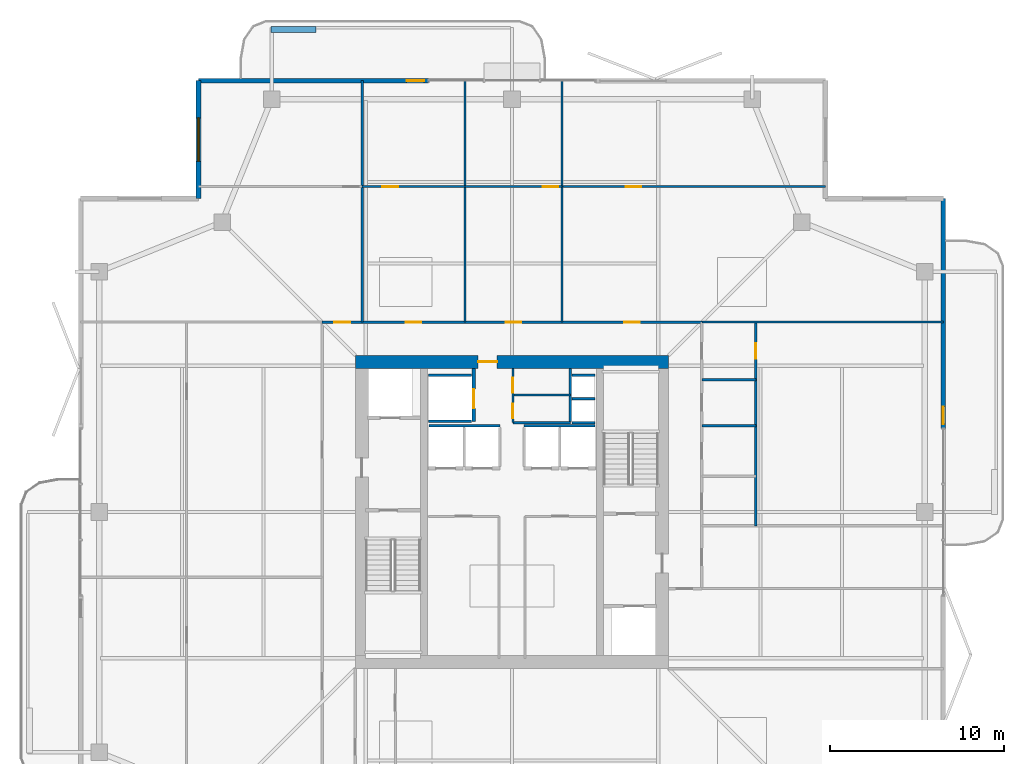
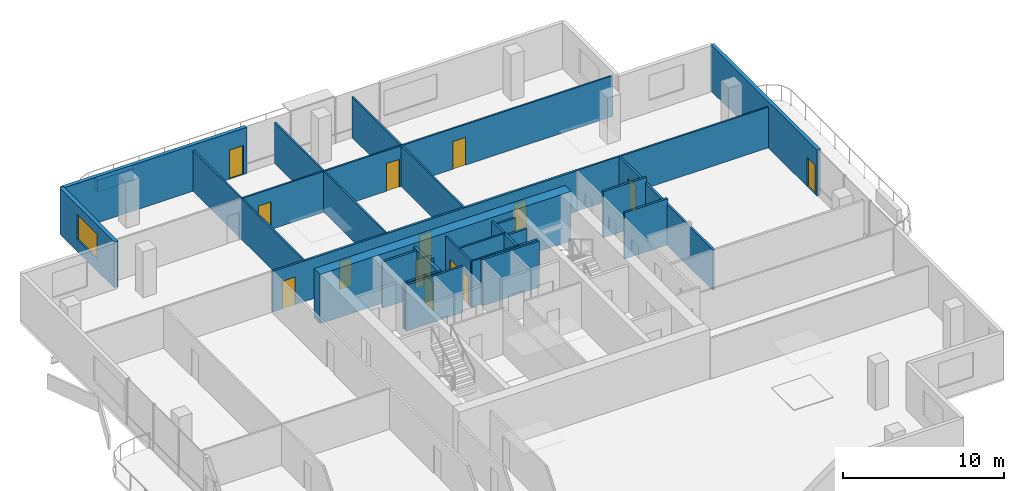
# One storey, part 20 of 25: 28 walls, 14 doors, 1 window, 15 openings.
"""IFC4 building model written with IfcOpenShell, lengths in metres."""

from ifc_helpers import new_model, si_unit, direction, frame, frame_2d, origin, place, context, subcontext, project, spatial, rectangle, extrude, material, layer, layer_set, type_object, element, fill, save


model = new_model("IFC4")

# Units and contexts
model_context = context("Model", 3, precision=1e-05, world=origin(), true_north=direction((0.0, 1.0)))
body_context = subcontext(model_context, "Body", "Model", "MODEL_VIEW")
ifc_project = project(units=[si_unit("LENGTHUNIT", "METRE"), si_unit("AREAUNIT", "SQUARE_METRE"), si_unit("VOLUMEUNIT", "CUBIC_METRE"), si_unit("PLANEANGLEUNIT", "RADIAN"), si_unit("MASSUNIT", "GRAM", prefix="KILO")], contexts=[model_context])

# Site, building, storey
site_placement = place(None, origin())
site = spatial("IfcSite", under=ifc_project, at=site_placement, CompositionType="ELEMENT")
building_placement = place(site_placement, origin())
building = spatial("IfcBuilding", under=site, at=building_placement, Name="Belovzor Exchange Tower", CompositionType="ELEMENT")
storey_placement = place(building_placement, frame((0.0, 0.0, 269.10009765625)))
storey = spatial("IfcBuildingStorey", under=building, at=storey_placement, Name="L67", CompositionType="ELEMENT", Elevation=269.10009765625)

# Wall
ifc_material_1 = material(Name="Acoustic Plasterboard on Galvanised Studs", Category="gypsum")
ifc_layer_1 = layer(ifc_material_1, 0.1201171875)
ifc_layer_set_1 = layer_set([ifc_layer_1], Name="Acoustic Plasterboard on Galvanised Studs")
wall_type_1 = type_object("IfcWallType", Name="Acoustic Double-Stud Partition Wall 120", PredefinedType="PARTITIONING", material=ifc_layer_set_1)
wall_1_placement = place(storey_placement, frame((20.199951171875, 39.699951171875, 0.0), z_axis=(0.0, 0.0, 1.0), x_axis=(0.0, 1.0, 0.0)))
element("IfcWall", 1, at=wall_1_placement, inside=storey, type_object=wall_type_1, Name="W-P120 Partition Wall W-L67-NDIV-1", PredefinedType="PARTITIONING", context=body_context, shape_type="SweptSolid", body=[
    extrude(rectangle(XDim=13.8701171875, YDim=0.1201171875, at=frame_2d((6.93505859375, 0.0))), origin(), (0.0, 0.0, 1.0), 3.0849609375),
])

# Wall, opening, door
wall_2_placement = place(storey_placement, frame((20.199951171875, 47.485107421875, 0.0), z_axis=(0.0, 0.0, 1.0), x_axis=(1.0, 0.0, 0.0)))
wall_2 = element("IfcWall", 2, at=wall_2_placement, inside=storey, type_object=wall_type_1, Name="W-P120 Partition Wall W-L67-NHDIV-1", PredefinedType="PARTITIONING", context=body_context, shape_type="SweptSolid", body=[
    extrude(rectangle(XDim=5.902099609375, YDim=0.1201171875, at=frame_2d((2.951171875, 0.0))), origin(), (0.0, 0.0, 1.0), 3.0849609375),
])
opening_1_placement = place(wall_2_placement, frame((1.158935546875, 0.0, 0.0)))
opening_1 = element("IfcOpeningElement", 3, at=opening_1_placement, cuts=wall_2, Name="Opening D-INT-090", PredefinedType="OPENING", context=body_context, shape_type="SweptSolid", body=[
    extrude(rectangle(XDim=0.89990234375, YDim=2.10009765625, at=frame_2d((0.449951171875, 1.050048828125))), frame((0.0, 0.070068359375, 0.0), z_axis=(0.0, -1.0, 0.0), x_axis=(1.0, 0.0, 0.0)), (0.0, 0.0, 1.0), 0.14013671875),
])
ifc_material_2 = material(Name="Veneered Hardwood Acoustic Leaf", Category="wood")
door_type_1 = type_object("IfcDoorType", Name="Trading Suite Acoustic Single Door 900x2100", OperationType="NOTDEFINED", PredefinedType="DOOR", material=ifc_material_2)
door_1_placement = place(opening_1_placement, origin())
door_1 = element("IfcDoor", 4, at=door_1_placement, inside=storey, type_object=door_type_1, Name="D-INT-090 Trading Suite Acoustic Single Door 900x2100", OperationType="SINGLE_SWING_RIGHT", OverallHeight=2.10009765625, OverallWidth=0.89990234375, PredefinedType="DOOR", context=body_context, shape_type="SweptSolid", body=[
    extrude(rectangle(XDim=0.89990234375, YDim=2.10009765625, at=frame_2d((0.449951171875, 1.050048828125))), frame((0.0, 0.02490234375, 0.0), z_axis=(0.0, -1.0, 0.0), x_axis=(1.0, 0.0, 0.0)), (0.0, 0.0, 1.0), 0.050048828125),
])
fill(opening_1, door_1)

# Wall
wall_3_placement = place(storey_placement, frame((26.10205078125, 39.699951171875, 0.0), z_axis=(0.0, 0.0, 1.0), x_axis=(0.0, 1.0, 0.0)))
element("IfcWall", 5, at=wall_3_placement, inside=storey, type_object=wall_type_1, Name="W-P120 Partition Wall W-L67-NDIV-2", PredefinedType="PARTITIONING", context=body_context, shape_type="SweptSolid", body=[
    extrude(rectangle(XDim=13.8701171875, YDim=0.1201171875, at=frame_2d((6.93505859375, 0.0))), origin(), (0.0, 0.0, 1.0), 3.0849609375),
])

# Wall, opening, door
wall_4_placement = place(storey_placement, frame((26.10205078125, 47.485107421875, 0.0), z_axis=(0.0, 0.0, 1.0), x_axis=(1.0, 0.0, 0.0)))
wall_4 = element("IfcWall", 6, at=wall_4_placement, inside=storey, type_object=wall_type_1, Name="W-P120 Partition Wall W-L67-NHDIV-2", PredefinedType="PARTITIONING", context=body_context, shape_type="SweptSolid", body=[
    extrude(rectangle(XDim=5.56494140625, YDim=0.1201171875, at=frame_2d((2.782470703125, 0.0))), origin(), (0.0, 0.0, 1.0), 3.0849609375),
])
opening_2_placement = place(wall_4_placement, frame((4.465087890625, 0.0, 0.0)))
opening_2 = element("IfcOpeningElement", 7, at=opening_2_placement, cuts=wall_4, Name="Opening D-INT-090", PredefinedType="OPENING", context=body_context, shape_type="SweptSolid", body=[
    extrude(rectangle(XDim=0.89990234375, YDim=2.10009765625, at=frame_2d((0.449951171875, 1.050048828125))), frame((0.0, 0.070068359375, 0.0), z_axis=(0.0, -1.0, 0.0), x_axis=(1.0, 0.0, 0.0)), (0.0, 0.0, 1.0), 0.14013671875),
])
door_2_placement = place(opening_2_placement, origin())
door_2 = element("IfcDoor", 8, at=door_2_placement, inside=storey, type_object=door_type_1, Name="D-INT-090 Trading Suite Acoustic Single Door 900x2100", OperationType="SINGLE_SWING_RIGHT", OverallHeight=2.10009765625, OverallWidth=0.89990234375, PredefinedType="DOOR", context=body_context, shape_type="SweptSolid", body=[
    extrude(rectangle(XDim=0.89990234375, YDim=2.10009765625, at=frame_2d((0.449951171875, 1.050048828125))), frame((0.0, 0.02490234375, 0.0), z_axis=(0.0, -1.0, 0.0), x_axis=(1.0, 0.0, 0.0)), (0.0, 0.0, 1.0), 0.050048828125),
])
fill(opening_2, door_2)

# Wall
wall_5_placement = place(storey_placement, frame((31.6669921875, 39.699951171875, 0.0), z_axis=(0.0, 0.0, 1.0), x_axis=(0.0, 1.0, 0.0)))
element("IfcWall", 9, at=wall_5_placement, inside=storey, type_object=wall_type_1, Name="W-P120 Partition Wall W-L67-NDIV-3", PredefinedType="PARTITIONING", context=body_context, shape_type="SweptSolid", body=[
    extrude(rectangle(XDim=13.8701171875, YDim=0.1201171875, at=frame_2d((6.93505859375, 0.0))), origin(), (0.0, 0.0, 1.0), 3.0849609375),
])

# Wall, opening, door
wall_6_placement = place(storey_placement, frame((31.6669921875, 47.485107421875, 0.0), z_axis=(0.0, 0.0, 1.0), x_axis=(1.0, 0.0, 0.0)))
wall_6 = element("IfcWall", 10, at=wall_6_placement, inside=storey, type_object=wall_type_1, Name="W-P120 Partition Wall W-L67-NHDIV-3", PredefinedType="PARTITIONING", context=body_context, shape_type="SweptSolid", body=[
    extrude(rectangle(XDim=15.133056640625, YDim=0.1201171875, at=frame_2d((7.56640625, 0.0))), origin(), (0.0, 0.0, 1.0), 3.0849609375),
])
opening_3_placement = place(wall_6_placement, frame((3.657958984375, 0.0, 0.0)))
opening_3 = element("IfcOpeningElement", 11, at=opening_3_placement, cuts=wall_6, Name="Opening D-INT-090", PredefinedType="OPENING", context=body_context, shape_type="SweptSolid", body=[
    extrude(rectangle(XDim=0.89990234375, YDim=2.10009765625, at=frame_2d((0.449951171875, 1.050048828125))), frame((0.0, 0.070068359375, 0.0), z_axis=(0.0, -1.0, 0.0), x_axis=(1.0, 0.0, 0.0)), (0.0, 0.0, 1.0), 0.14013671875),
])
door_3_placement = place(opening_3_placement, origin())
door_3 = element("IfcDoor", 12, at=door_3_placement, inside=storey, type_object=door_type_1, Name="D-INT-090 Trading Suite Acoustic Single Door 900x2100", OperationType="SINGLE_SWING_RIGHT", OverallHeight=2.10009765625, OverallWidth=0.89990234375, PredefinedType="DOOR", context=body_context, shape_type="SweptSolid", body=[
    extrude(rectangle(XDim=0.89990234375, YDim=2.10009765625, at=frame_2d((0.449951171875, 1.050048828125))), frame((0.0, 0.02490234375, 0.0), z_axis=(0.0, -1.0, 0.0), x_axis=(1.0, 0.0, 0.0)), (0.0, 0.0, 1.0), 0.050048828125),
])
fill(opening_3, door_3)

# Wall
wall_7_placement = place(storey_placement, frame((39.699951171875, 39.699951171875, 0.0), z_axis=(0.0, 0.0, 1.0), x_axis=(1.0, 0.0, 0.0)))
element("IfcWall", 13, at=wall_7_placement, inside=storey, type_object=wall_type_1, Name="W-P120 Partition Wall W-L67-END-NE", PredefinedType="PARTITIONING", context=body_context, shape_type="SweptSolid", body=[
    extrude(rectangle(XDim=13.8701171875, YDim=0.1201171875, at=frame_2d((6.93505859375, 0.0))), origin(), (0.0, 0.0, 1.0), 3.0849609375),
])

# Wall, openings, doors
ifc_material_3 = material(Name="Fire-Rated Plasterboard on Galvanised Studs", Category="gypsum")
ifc_layer_2 = layer(ifc_material_3, 0.1201171875)
ifc_layer_set_2 = layer_set([ifc_layer_2], Name="Fire-Rated Plasterboard on Galvanised Studs")
wall_type_2 = type_object("IfcWallType", Name="Fire-Rated Double-Stud Partition Wall 120", PredefinedType="PARTITIONING", material=ifc_layer_set_2)
wall_8_placement = place(storey_placement, frame((28.85009765625, 33.925048828125, 0.0), z_axis=(0.0, 0.0, 1.0), x_axis=(0.0, 1.0, 0.0)))
wall_8 = element("IfcWall", 14, at=wall_8_placement, inside=storey, type_object=wall_type_2, Name="W-P120F Partition Wall W-CRV-L67-W", PredefinedType="PARTITIONING", context=body_context, shape_type="SweptSolid", body=[
    extrude(rectangle(XDim=3.125, YDim=0.1201171875, at=frame_2d((1.5625, 0.0))), origin(), (0.0, 0.0, 1.0), 3.5),
])
opening_4_placement = place(wall_8_placement, frame((0.25, 0.0, 0.0)))
opening_4 = element("IfcOpeningElement", 15, at=opening_4_placement, cuts=wall_8, Name="Opening D-FD60-085", PredefinedType="OPENING", context=body_context, shape_type="SweptSolid", body=[
    extrude(rectangle(XDim=0.85009765625, YDim=2.10009765625, at=frame_2d((0.425048828125, 1.050048828125))), frame((0.0, 0.070068359375, 0.0), z_axis=(0.0, -1.0, 0.0), x_axis=(1.0, 0.0, 0.0)), (0.0, 0.0, 1.0), 0.14013671875),
])
opening_5_placement = place(wall_8_placement, frame((1.719970703125, 0.0, 0.0)))
opening_5 = element("IfcOpeningElement", 16, at=opening_5_placement, cuts=wall_8, Name="Opening D-FD60-085", PredefinedType="OPENING", context=body_context, shape_type="SweptSolid", body=[
    extrude(rectangle(XDim=0.85009765625, YDim=2.10009765625, at=frame_2d((0.425048828125, 1.050048828125))), frame((0.0, 0.070068359375, 0.0), z_axis=(0.0, -1.0, 0.0), x_axis=(1.0, 0.0, 0.0)), (0.0, 0.0, 1.0), 0.14013671875),
])
ifc_material_4 = material(Name="Fire-Rated Steel Access Leaf", Category="steel")
door_type_2 = type_object("IfcDoorType", Name="Riser & Meter Closet Access Fire Door 850x2100", OperationType="NOTDEFINED", PredefinedType="DOOR", material=ifc_material_4)
door_4_placement = place(opening_4_placement, origin())
door_4 = element("IfcDoor", 17, at=door_4_placement, inside=storey, type_object=door_type_2, Name="D-FD60-085 Riser & Meter Closet Access Fire Door 850x2100", OperationType="SINGLE_SWING_LEFT", OverallHeight=2.10009765625, OverallWidth=0.85009765625, PredefinedType="DOOR", context=body_context, shape_type="SweptSolid", body=[
    extrude(rectangle(XDim=0.85009765625, YDim=2.10009765625, at=frame_2d((0.425048828125, 1.050048828125))), frame((0.0, 0.02490234375, 0.0), z_axis=(0.0, -1.0, 0.0), x_axis=(1.0, 0.0, 0.0)), (0.0, 0.0, 1.0), 0.050048828125),
])
fill(opening_4, door_4)
door_5_placement = place(opening_5_placement, origin())
door_5 = element("IfcDoor", 18, at=door_5_placement, inside=storey, type_object=door_type_2, Name="D-FD60-085 Riser & Meter Closet Access Fire Door 850x2100", OperationType="SINGLE_SWING_RIGHT", OverallHeight=2.10009765625, OverallWidth=0.85009765625, PredefinedType="DOOR", context=body_context, shape_type="SweptSolid", body=[
    extrude(rectangle(XDim=0.85009765625, YDim=2.10009765625, at=frame_2d((0.425048828125, 1.050048828125))), frame((0.0, 0.02490234375, 0.0), z_axis=(0.0, -1.0, 0.0), x_axis=(1.0, 0.0, 0.0)), (0.0, 0.0, 1.0), 0.050048828125),
])
fill(opening_5, door_5)

# Walls
for number, where, z_axis, x_axis, name in (
    (19, (28.85009765625, 35.52490234375, 0.0), (0.0, 0.0, 1.0), (1.0, 0.0, 0.0), "W-P120F Partition Wall W-CRV-L67-M"),
    (20, (28.85009765625, 33.925048828125, 0.0), (0.0, 0.0, 1.0), (1.0, 0.0, 0.0), "W-P120F Partition Wall W-CRV-L67-S"),
):
    element("IfcWall", number, at=place(storey_placement, frame(where, z_axis=z_axis, x_axis=x_axis)), inside=storey, type_object=wall_type_2, Name=name, PredefinedType="PARTITIONING", context=body_context, shape_type="SweptSolid", body=[
        extrude(rectangle(XDim=3.2998046875, YDim=0.1201171875, at=frame_2d((1.64990234375, 0.0))), origin(), (0.0, 0.0, 1.0), 3.5),
    ])

# Wall, opening, door
ifc_material_5 = material(Name="Fire-Rated Gypsum Block and Mineral Wool", Category="gypsum")
ifc_layer_3 = layer(ifc_material_5, 0.14990234375)
ifc_layer_set_3 = layer_set([ifc_layer_3], Name="Fire-Rated Gypsum Block and Mineral Wool")
wall_type_3 = type_object("IfcWallType", Name="Fire-Rated Gypsum Block Corridor Wall 150", PredefinedType="PARTITIONING", material=ifc_layer_set_3)
wall_9_placement = place(storey_placement, frame((42.800048828125, 28.0, 0.0), z_axis=(0.0, 0.0, 1.0), x_axis=(0.0, 1.0, 0.0)))
wall_9 = element("IfcWall", 21, at=wall_9_placement, inside=storey, type_object=wall_type_3, Name="W-P150 Partition Wall W-L67-EWC-E", PredefinedType="PARTITIONING", context=body_context, shape_type="SweptSolid", body=[
    extrude(rectangle(XDim=11.699951171875, YDim=0.14990234375, at=frame_2d((5.85009765625, 0.0))), origin(), (0.0, 0.0, 1.0), 3.0849609375),
])
opening_6_placement = place(wall_9_placement, frame((9.60009765625, 0.0, 0.0)))
opening_6 = element("IfcOpeningElement", 22, at=opening_6_placement, cuts=wall_9, Name="Opening D-INT-090", PredefinedType="OPENING", context=body_context, shape_type="SweptSolid", body=[
    extrude(rectangle(XDim=0.89990234375, YDim=2.10009765625, at=frame_2d((0.449951171875, 1.050048828125))), frame((0.0, 0.0849609375, 0.0), z_axis=(0.0, -1.0, 0.0), x_axis=(1.0, 0.0, 0.0)), (0.0, 0.0, 1.0), 0.169921875),
])
door_6_placement = place(opening_6_placement, origin())
door_6 = element("IfcDoor", 23, at=door_6_placement, inside=storey, type_object=door_type_1, Name="D-INT-090 Trading Suite Acoustic Single Door 900x2100", OperationType="SINGLE_SWING_RIGHT", OverallHeight=2.10009765625, OverallWidth=0.89990234375, PredefinedType="DOOR", context=body_context, shape_type="SweptSolid", body=[
    extrude(rectangle(XDim=0.89990234375, YDim=2.10009765625, at=frame_2d((0.449951171875, 1.050048828125))), frame((0.0, 0.02490234375, 0.0), z_axis=(0.0, -1.0, 0.0), x_axis=(1.0, 0.0, 0.0)), (0.0, 0.0, 1.0), 0.050048828125),
])
fill(opening_6, door_6)

# Walls
for number, where, z_axis, x_axis, name in (
    (24, (39.699951171875, 36.39990234375, 0.0), (0.0, 0.0, 1.0), (1.0, 0.0, 0.0), "W-P150 Partition Wall W-L67-EWC-N"),
    (25, (39.699951171875, 33.75, 0.0), (0.0, 0.0, 1.0), (1.0, 0.0, 0.0), "W-P150 Partition Wall W-L67-EWC-D2"),
):
    element("IfcWall", number, at=place(storey_placement, frame(where, z_axis=z_axis, x_axis=x_axis)), inside=storey, type_object=wall_type_3, Name=name, PredefinedType="PARTITIONING", context=body_context, shape_type="SweptSolid", body=[
        extrude(rectangle(XDim=3.10009765625, YDim=0.14990234375, at=frame_2d((1.550048828125, 0.0))), origin(), (0.0, 0.0, 1.0), 3.5),
    ])

# Wall, openings, doors
wall_10_placement = place(storey_placement, frame((17.89990234375, 39.699951171875, 0.0), z_axis=(0.0, 0.0, 1.0), x_axis=(1.0, 0.0, 0.0)))
wall_10 = element("IfcWall", 26, at=wall_10_placement, inside=storey, type_object=wall_type_3, Name="W-P150 Partition Wall W-L67-CN", PredefinedType="PARTITIONING", context=body_context, shape_type="SweptSolid", body=[
    extrude(rectangle(XDim=21.800048828125, YDim=0.14990234375, at=frame_2d((10.89990234375, 0.0))), origin(), (0.0, 0.0, 1.0), 3.0849609375),
])
opening_7_placement = place(wall_10_placement, frame((0.699951171875, 0.0, 0.0)))
opening_7 = element("IfcOpeningElement", 27, at=opening_7_placement, cuts=wall_10, Name="Opening D-INT-090", PredefinedType="OPENING", context=body_context, shape_type="SweptSolid", body=[
    extrude(rectangle(XDim=0.89990234375, YDim=2.10009765625, at=frame_2d((0.449951171875, 1.050048828125))), frame((0.0, 0.0849609375, 0.0), z_axis=(0.0, -1.0, 0.0), x_axis=(1.0, 0.0, 0.0)), (0.0, 0.0, 1.0), 0.169921875),
])
opening_8_placement = place(wall_10_placement, frame((4.801025390625, 0.0, 0.0)))
opening_8 = element("IfcOpeningElement", 28, at=opening_8_placement, cuts=wall_10, Name="Opening D-INT-090", PredefinedType="OPENING", context=body_context, shape_type="SweptSolid", body=[
    extrude(rectangle(XDim=0.89990234375, YDim=2.10009765625, at=frame_2d((0.449951171875, 1.050048828125))), frame((0.0, 0.0849609375, 0.0), z_axis=(0.0, -1.0, 0.0), x_axis=(1.0, 0.0, 0.0)), (0.0, 0.0, 1.0), 0.169921875),
])
opening_9_placement = place(wall_10_placement, frame((10.534912109375, 0.0, 0.0)))
opening_9 = element("IfcOpeningElement", 29, at=opening_9_placement, cuts=wall_10, Name="Opening D-INT-090", PredefinedType="OPENING", context=body_context, shape_type="SweptSolid", body=[
    extrude(rectangle(XDim=0.89990234375, YDim=2.10009765625, at=frame_2d((0.449951171875, 1.050048828125))), frame((0.0, 0.0849609375, 0.0), z_axis=(0.0, -1.0, 0.0), x_axis=(1.0, 0.0, 0.0)), (0.0, 0.0, 1.0), 0.169921875),
])
opening_10_placement = place(wall_10_placement, frame((17.333984375, 0.0, 0.0)))
opening_10 = element("IfcOpeningElement", 30, at=opening_10_placement, cuts=wall_10, Name="Opening D-INT-090", PredefinedType="OPENING", context=body_context, shape_type="SweptSolid", body=[
    extrude(rectangle(XDim=0.89990234375, YDim=2.10009765625, at=frame_2d((0.449951171875, 1.050048828125))), frame((0.0, 0.0849609375, 0.0), z_axis=(0.0, -1.0, 0.0), x_axis=(1.0, 0.0, 0.0)), (0.0, 0.0, 1.0), 0.169921875),
])
door_7_placement = place(opening_7_placement, origin())
door_7 = element("IfcDoor", 31, at=door_7_placement, inside=storey, type_object=door_type_1, Name="D-INT-090 Trading Suite Acoustic Single Door 900x2100", OperationType="SINGLE_SWING_LEFT", OverallHeight=2.10009765625, OverallWidth=0.89990234375, PredefinedType="DOOR", context=body_context, shape_type="SweptSolid", body=[
    extrude(rectangle(XDim=0.89990234375, YDim=2.10009765625, at=frame_2d((0.449951171875, 1.050048828125))), frame((0.0, 0.02490234375, 0.0), z_axis=(0.0, -1.0, 0.0), x_axis=(1.0, 0.0, 0.0)), (0.0, 0.0, 1.0), 0.050048828125),
])
fill(opening_7, door_7)
door_8_placement = place(opening_8_placement, origin())
door_8 = element("IfcDoor", 32, at=door_8_placement, inside=storey, type_object=door_type_1, Name="D-INT-090 Trading Suite Acoustic Single Door 900x2100", OperationType="SINGLE_SWING_RIGHT", OverallHeight=2.10009765625, OverallWidth=0.89990234375, PredefinedType="DOOR", context=body_context, shape_type="SweptSolid", body=[
    extrude(rectangle(XDim=0.89990234375, YDim=2.10009765625, at=frame_2d((0.449951171875, 1.050048828125))), frame((0.0, 0.02490234375, 0.0), z_axis=(0.0, -1.0, 0.0), x_axis=(1.0, 0.0, 0.0)), (0.0, 0.0, 1.0), 0.050048828125),
])
fill(opening_8, door_8)
door_9_placement = place(opening_9_placement, origin())
door_9 = element("IfcDoor", 33, at=door_9_placement, inside=storey, type_object=door_type_1, Name="D-INT-090 Trading Suite Acoustic Single Door 900x2100", OperationType="SINGLE_SWING_LEFT", OverallHeight=2.10009765625, OverallWidth=0.89990234375, PredefinedType="DOOR", context=body_context, shape_type="SweptSolid", body=[
    extrude(rectangle(XDim=0.89990234375, YDim=2.10009765625, at=frame_2d((0.449951171875, 1.050048828125))), frame((0.0, 0.02490234375, 0.0), z_axis=(0.0, -1.0, 0.0), x_axis=(1.0, 0.0, 0.0)), (0.0, 0.0, 1.0), 0.050048828125),
])
fill(opening_9, door_9)
door_10_placement = place(opening_10_placement, origin())
door_10 = element("IfcDoor", 34, at=door_10_placement, inside=storey, type_object=door_type_1, Name="D-INT-090 Trading Suite Acoustic Single Door 900x2100", OperationType="SINGLE_SWING_RIGHT", OverallHeight=2.10009765625, OverallWidth=0.89990234375, PredefinedType="DOOR", context=body_context, shape_type="SweptSolid", body=[
    extrude(rectangle(XDim=0.89990234375, YDim=2.10009765625, at=frame_2d((0.449951171875, 1.050048828125))), frame((0.0, 0.02490234375, 0.0), z_axis=(0.0, -1.0, 0.0), x_axis=(1.0, 0.0, 0.0)), (0.0, 0.0, 1.0), 0.050048828125),
])
fill(opening_10, door_10)

# Wall, opening, window
ifc_material_6 = material(Name="Precast concrete C40/50", Category="concrete")
ifc_layer_4 = layer(ifc_material_6, 0.280029296875)
ifc_layer_set_4 = layer_set([ifc_layer_4], Name="Precast concrete C40/50")
wall_type_4 = type_object("IfcWallType", Name="Precast Concrete Notched Corner Frame Wall 280", PredefinedType="SOLIDWALL", material=ifc_layer_set_4)
wall_11_placement = place(storey_placement, frame((10.800048828125, 46.800048828125, 0.0), z_axis=(0.0, 0.0, 1.0), x_axis=(0.0, 1.0, 0.0)))
wall_11 = element("IfcWall", 35, at=wall_11_placement, inside=storey, type_object=wall_type_4, Name="W-CRN280 Precast Concrete Notched Corner Frame Wall 280 L67", PredefinedType="SOLIDWALL", context=body_context, shape_type="SweptSolid", body=[
    extrude(rectangle(XDim=6.77001953125, YDim=0.280029296875, at=frame_2d((3.385009765625, 0.0))), origin(), (0.0, 0.0, 1.0), 3.5),
])
opening_11_placement = place(wall_11_placement, frame((2.135009765625, 0.0, 0.89990234375)))
opening_11 = element("IfcOpeningElement", 36, at=opening_11_placement, cuts=wall_11, Name="Opening WN-CRN250", PredefinedType="OPENING", context=body_context, shape_type="SweptSolid", body=[
    extrude(rectangle(XDim=2.5, YDim=1.89990234375, at=frame_2d((1.25, 0.949951171875))), frame((0.0, 0.14990234375, 0.0), z_axis=(0.0, -1.0, 0.0), x_axis=(1.0, 0.0, 0.0)), (0.0, 0.0, 1.0), 0.300048828125),
])
ifc_material_7 = material(Name="Thermally Broken Aluminium and Triple Glazing", Category="aluminium")
window_type = type_object("IfcWindowType", Name="Streamline Moderne Corner Wrap Ribbon Window 2500x1900", PartitioningType="SINGLE_PANEL", PredefinedType="WINDOW", material=ifc_material_7)
window_placement = place(opening_11_placement, origin())
window = element("IfcWindow", 37, at=window_placement, inside=storey, type_object=window_type, Name="WN-CRN250 Streamline Moderne Corner Wrap Ribbon Window 2500x1900", OverallHeight=1.89990234375, OverallWidth=2.5, PartitioningType="SINGLE_PANEL", PredefinedType="WINDOW", context=body_context, shape_type="SweptSolid", body=[
    extrude(rectangle(XDim=2.5, YDim=1.89990234375, at=frame_2d((1.25, 0.949951171875))), frame((0.0, 0.030029296875, 0.0), z_axis=(0.0, -1.0, 0.0), x_axis=(1.0, 0.0, 0.0)), (0.0, 0.0, 1.0), 0.06005859375),
])
fill(opening_11, window)

# Wall, opening, door
ifc_material_8 = material(Name="Precast concrete C40/50", Category="concrete")
ifc_layer_5 = layer(ifc_material_8, 0.260009765625)
ifc_layer_set_5 = layer_set([ifc_layer_5], Name="Precast concrete C40/50")
wall_type_5 = type_object("IfcWallType", Name="Precast Concrete Perimeter Loggia Frame Wall 260", PredefinedType="SOLIDWALL", material=ifc_layer_set_5)
wall_12_placement = place(storey_placement, frame((10.800048828125, 53.570068359375, 0.0), z_axis=(0.0, 0.0, 1.0), x_axis=(1.0, 0.0, 0.0)))
wall_12 = element("IfcWall", 38, at=wall_12_placement, inside=storey, type_object=wall_type_5, Name="W-EXT260 Precast Concrete Perimeter Loggia Frame Wall 260 L67", PredefinedType="SOLIDWALL", context=body_context, shape_type="SweptSolid", body=[
    extrude(rectangle(XDim=13.199951171875, YDim=0.260009765625, at=frame_2d((6.60009765625, 0.0))), origin(), (0.0, 0.0, 1.0), 3.5),
])
opening_12_placement = place(wall_12_placement, frame((11.949951171875, 0.0, 0.0)))
opening_12 = element("IfcOpeningElement", 39, at=opening_12_placement, cuts=wall_12, Name="Opening D-BAL100", PredefinedType="OPENING", context=body_context, shape_type="SweptSolid", body=[
    extrude(rectangle(XDim=1.0, YDim=2.199951171875, at=frame_2d((0.5, 1.10009765625))), frame((0.0, 0.139892578125, 0.0), z_axis=(0.0, -1.0, 0.0), x_axis=(1.0, 0.0, 0.0)), (0.0, 0.0, 1.0), 0.280029296875),
])
ifc_material_9 = material(Name="Thermally Broken Anodised Aluminium and Laminated Glass", Category="aluminium")
door_type_3 = type_object("IfcDoorType", Name="Planted Loggia Terrace Glazed Door 1000x2200", OperationType="SINGLE_SWING_LEFT", PredefinedType="DOOR", material=ifc_material_9)
door_11_placement = place(opening_12_placement, origin())
door_11 = element("IfcDoor", 40, at=door_11_placement, inside=storey, type_object=door_type_3, Name="D-BAL100 Balcony Terrace Door L67 N", OperationType="SINGLE_SWING_RIGHT", OverallHeight=2.199951171875, OverallWidth=1.0, PredefinedType="DOOR", context=body_context, shape_type="SweptSolid", body=[
    extrude(rectangle(XDim=1.0, YDim=2.199951171875, at=frame_2d((0.5, 1.10009765625))), frame((0.0, 0.02490234375, 0.0), z_axis=(0.0, -1.0, 0.0), x_axis=(1.0, 0.0, 0.0)), (0.0, 0.0, 1.0), 0.050048828125),
])
fill(opening_12, door_11)

wall_13_placement = place(storey_placement, frame((53.570068359375, 46.800048828125, 0.0), z_axis=(0.0, 0.0, 1.0), x_axis=(0.0, -1.0, 0.0)))
wall_13 = element("IfcWall", 41, at=wall_13_placement, inside=storey, type_object=wall_type_5, Name="W-EXT260 Precast Concrete Perimeter Loggia Frame Wall 260 L67", PredefinedType="SOLIDWALL", context=body_context, shape_type="SweptSolid", body=[
    extrude(rectangle(XDim=13.199951171875, YDim=0.260009765625, at=frame_2d((6.60009765625, 0.0))), origin(), (0.0, 0.0, 1.0), 3.5),
])
opening_13_placement = place(wall_13_placement, frame((11.949951171875, 0.0, 0.0)))
opening_13 = element("IfcOpeningElement", 42, at=opening_13_placement, cuts=wall_13, Name="Opening D-BAL100", PredefinedType="OPENING", context=body_context, shape_type="SweptSolid", body=[
    extrude(rectangle(XDim=1.0, YDim=2.199951171875, at=frame_2d((0.5, 1.10009765625))), frame((0.0, 0.139892578125, 0.0), z_axis=(0.0, -1.0, 0.0), x_axis=(1.0, 0.0, 0.0)), (0.0, 0.0, 1.0), 0.280029296875),
])
door_12_placement = place(opening_13_placement, origin())
door_12 = element("IfcDoor", 43, at=door_12_placement, inside=storey, type_object=door_type_3, Name="D-BAL100 Balcony Terrace Door L67 E", OperationType="SINGLE_SWING_LEFT", OverallHeight=2.199951171875, OverallWidth=1.0, PredefinedType="DOOR", context=body_context, shape_type="SweptSolid", body=[
    extrude(rectangle(XDim=1.0, YDim=2.199951171875, at=frame_2d((0.5, 1.10009765625))), frame((0.0, 0.02490234375, 0.0), z_axis=(0.0, -1.0, 0.0), x_axis=(1.0, 0.0, 0.0)), (0.0, 0.0, 1.0), 0.050048828125),
])
fill(opening_13, door_12)

# Walls
ifc_material_10 = material(Name="Precast concrete C40/50", Category="concrete")
ifc_layer_6 = layer(ifc_material_10, 0.35009765625)
ifc_layer_set_6 = layer_set([ifc_layer_6], Name="Precast concrete C40/50")
wall_type_6 = type_object("IfcWallType", Name="Precast Concrete Structural Tree Planter Trough 350", PredefinedType="PARAPET", material=ifc_layer_set_6)
wall_14_placement = place(storey_placement, frame((14.949951171875, 56.5, 0.0), z_axis=(0.0, 0.0, 1.0), x_axis=(1.0, 0.0, 0.0)))
element("IfcWall", 44, at=wall_14_placement, inside=storey, type_object=wall_type_6, Name="PT-350 Precast Concrete Structural Tree Planter Trough 350 L67", PredefinedType="PARAPET", context=body_context, shape_type="SweptSolid", body=[
    extrude(rectangle(XDim=2.60009765625, YDim=0.35009765625, at=frame_2d((1.300048828125, 0.0))), origin(), (0.0, 0.0, 1.0), 0.89990234375),
])
ifc_material_11 = material(Name="Concrete C50/60", Category="concrete")
ifc_layer_7 = layer(ifc_material_11, 0.14990234375)
ifc_layer_set_7 = layer_set([ifc_layer_7], Name="Concrete C50/60")
wall_type_7 = type_object("IfcWallType", Name="Reinforced Concrete Core Riser Shear Wall 150", PredefinedType="SHEAR", material=ifc_layer_set_7)
wall_15_placement = place(storey_placement, frame((32.14990234375, 34.0, 0.0), z_axis=(0.0, 0.0, 1.0), x_axis=(0.0, 1.0, 0.0)))
element("IfcWall", 45, at=wall_15_placement, inside=storey, type_object=wall_type_7, Name="W-C150S Core Shaft Wall W-RSR-L67-E", PredefinedType="SHEAR", context=body_context, shape_type="SweptSolid", body=[
    extrude(rectangle(XDim=3.050048828125, YDim=0.14990234375, at=frame_2d((1.52490234375, 0.0))), origin(), (0.0, 0.0, 1.0), 3.5),
])
for number, where, z_axis, x_axis, name in (
    (46, (32.25, 33.925048828125, 0.0), (0.0, 0.0, 1.0), (1.0, 0.0, 0.0), "W-C150S Core Shaft Wall W-RSR-L67-S"),
    (47, (32.25, 35.300048828125, 0.0), (0.0, 0.0, 1.0), (1.0, 0.0, 0.0), "W-C150S Core Shaft Wall W-RSR-L67-M"),
):
    element("IfcWall", number, at=place(storey_placement, frame(where, z_axis=z_axis, x_axis=x_axis)), inside=storey, type_object=wall_type_7, Name=name, PredefinedType="SHEAR", context=body_context, shape_type="SweptSolid", body=[
        extrude(rectangle(XDim=1.330078125, YDim=0.14990234375, at=frame_2d((0.6650390625, 0.0))), origin(), (0.0, 0.0, 1.0), 3.5),
    ])
for number, where, z_axis, x_axis, name in (
    (48, (24.0, 34.0, 0.0), (0.0, 0.0, 1.0), (1.0, 0.0, 0.0), "W-C150S Core Shaft Wall W-SH-L67-SL-01S"),
    (49, (24.0, 36.64990234375, 0.0), (0.0, 0.0, 1.0), (1.0, 0.0, 0.0), "W-C150S Core Shaft Wall W-SH-L67-SL-01N"),
):
    element("IfcWall", number, at=place(storey_placement, frame(where, z_axis=z_axis, x_axis=x_axis)), inside=storey, type_object=wall_type_7, Name=name, PredefinedType="SHEAR", context=body_context, shape_type="SweptSolid", body=[
        extrude(rectangle(XDim=2.47998046875, YDim=0.14990234375, at=frame_2d((1.239990234375, 0.0))), origin(), (0.0, 0.0, 1.0), 3.5),
    ])
wall_16_placement = place(storey_placement, frame((32.25, 36.64990234375, 0.0), z_axis=(0.0, 0.0, 1.0), x_axis=(1.0, 0.0, 0.0)))
element("IfcWall", 50, at=wall_16_placement, inside=storey, type_object=wall_type_7, Name="W-C150S Core Shaft Wall W-RSR-L67-N", PredefinedType="SHEAR", context=body_context, shape_type="SweptSolid", body=[
    extrude(rectangle(XDim=1.330078125, YDim=0.14990234375, at=frame_2d((0.6650390625, 0.0))), origin(), (0.0, 0.0, 1.0), 3.5),
])
for number, where, z_axis, x_axis, name in (
    (51, (24.02001953125, 33.760009765625, 0.0), (0.0, 0.0, 1.0), (1.0, 0.0, 0.0), "W-C150S Core Shaft Wall W-SHB-L67-PLH-NW"),
    (52, (29.5, 33.760009765625, 0.0), (0.0, 0.0, 1.0), (1.0, 0.0, 0.0), "W-C150S Core Shaft Wall W-SHB-L67-PLH-NE"),
):
    element("IfcWall", number, at=place(storey_placement, frame(where, z_axis=z_axis, x_axis=x_axis)), inside=storey, type_object=wall_type_7, Name=name, PredefinedType="SHEAR", context=body_context, shape_type="SweptSolid", body=[
        extrude(rectangle(XDim=4.080078125, YDim=0.14990234375, at=frame_2d((2.0400390625, 0.0))), origin(), (0.0, 0.0, 1.0), 3.5),
    ])

# Wall, opening, door
ifc_material_12 = material(Name="Concrete C50/60", Category="concrete")
ifc_layer_8 = layer(ifc_material_12, 0.199951171875)
ifc_layer_set_8 = layer_set([ifc_layer_8], Name="Concrete C50/60")
wall_type_8 = type_object("IfcWallType", Name="Reinforced Concrete Core Shaft Shear Wall 200", PredefinedType="SHEAR", material=ifc_layer_set_8)
wall_17_placement = place(storey_placement, frame((26.60009765625, 34.0, 0.0), z_axis=(0.0, 0.0, 1.0), x_axis=(0.0, 1.0, 0.0)))
wall_17 = element("IfcWall", 53, at=wall_17_placement, inside=storey, type_object=wall_type_8, Name="W-C200S Core Shaft Wall W-SH-L67-SL-01", PredefinedType="SHEAR", context=body_context, shape_type="SweptSolid", body=[
    extrude(rectangle(XDim=3.050048828125, YDim=0.199951171875, at=frame_2d((1.52490234375, 0.0))), origin(), (0.0, 0.0, 1.0), 3.5),
])
opening_14_placement = place(wall_17_placement, frame((0.75, 0.0, 0.0)))
opening_14 = element("IfcOpeningElement", 54, at=opening_14_placement, cuts=wall_17, Name="Opening LD-110", PredefinedType="OPENING", context=body_context, shape_type="SweptSolid", body=[
    extrude(rectangle(XDim=1.10009765625, YDim=2.14990234375, at=frame_2d((0.550048828125, 1.074951171875))), frame((0.0, 0.10986328125, 0.0), z_axis=(0.0, -1.0, 0.0), x_axis=(1.0, 0.0, 0.0)), (0.0, 0.0, 1.0), 0.219970703125),
])
ifc_material_13 = material(Name="Stainless Steel Grade 304", Category="steel")
door_type_4 = type_object("IfcDoorType", Name="Automated Stainless Steel Lift Landing Door 1100x2150", OperationType="SLIDING_TO_RIGHT", PredefinedType="DOOR", material=ifc_material_13)
door_13_placement = place(opening_14_placement, origin())
door_13 = element("IfcDoor", 55, at=door_13_placement, inside=storey, type_object=door_type_4, Name="LD-110 Automated Stainless Steel Lift Landing Door 1100x2150", OperationType="SLIDING_TO_RIGHT", OverallHeight=2.14990234375, OverallWidth=1.10009765625, PredefinedType="DOOR", context=body_context, shape_type="SweptSolid", body=[
    extrude(rectangle(XDim=1.10009765625, YDim=2.14990234375, at=frame_2d((0.550048828125, 1.074951171875))), frame((0.0, 0.02490234375, 0.0), z_axis=(0.0, -1.0, 0.0), x_axis=(1.0, 0.0, 0.0)), (0.0, 0.0, 1.0), 0.050048828125),
])
fill(opening_14, door_13)

ifc_material_14 = material(Name="Concrete C50/60", Category="concrete")
ifc_layer_9 = layer(ifc_material_14, 0.75)
ifc_layer_set_9 = layer_set([ifc_layer_9], Name="Concrete C50/60")
wall_type_9 = type_object("IfcWallType", Name="Reinforced Concrete Core Shear Wall 750", PredefinedType="SHEAR", material=ifc_layer_set_9)
wall_18_placement = place(storey_placement, frame((19.800048828125, 37.425048828125, 0.0), z_axis=(0.0, 0.0, 1.0), x_axis=(1.0, 0.0, 0.0)))
wall_18 = element("IfcWall", 56, at=wall_18_placement, inside=storey, type_object=wall_type_9, Name="CW-S075 Core Shear Wall L67 N", PredefinedType="SHEAR", context=body_context, shape_type="SweptSolid", body=[
    extrude(rectangle(XDim=18.0, YDim=0.75, at=frame_2d((9.0, 0.0))), origin(), (0.0, 0.0, 1.0), 3.75),
])
opening_15_placement = place(wall_18_placement, frame((7.050048828125, 0.0, 0.0)))
opening_15 = element("IfcOpeningElement", 57, at=opening_15_placement, cuts=wall_18, Name="Opening D-FD90-110", PredefinedType="OPENING", context=body_context, shape_type="SweptSolid", body=[
    extrude(rectangle(XDim=1.10009765625, YDim=2.14990234375, at=frame_2d((0.550048828125, 1.074951171875))), frame((0.0, 0.385009765625, 0.0), z_axis=(0.0, -1.0, 0.0), x_axis=(1.0, 0.0, 0.0)), (0.0, 0.0, 1.0), 0.77001953125),
])
ifc_material_15 = material(Name="Fire-Rated Galvanised Steel Leaf", Category="steel")
door_type_5 = type_object("IfcDoorType", Name="Protected Escape Vestibule Fire Door 1100x2150", OperationType="NOTDEFINED", PredefinedType="DOOR", material=ifc_material_15)
door_14_placement = place(opening_15_placement, origin())
door_14 = element("IfcDoor", 58, at=door_14_placement, inside=storey, type_object=door_type_5, Name="D-FD90-110 Protected Escape Vestibule Fire Door 1100x2150", OperationType="SINGLE_SWING_LEFT", OverallHeight=2.14990234375, OverallWidth=1.10009765625, PredefinedType="DOOR", context=body_context, shape_type="SweptSolid", body=[
    extrude(rectangle(XDim=1.10009765625, YDim=2.14990234375, at=frame_2d((0.550048828125, 1.074951171875))), frame((0.0, 0.02490234375, 0.0), z_axis=(0.0, -1.0, 0.0), x_axis=(1.0, 0.0, 0.0)), (0.0, 0.0, 1.0), 0.050048828125),
])
fill(opening_15, door_14)

save(model, "model.ifc")
